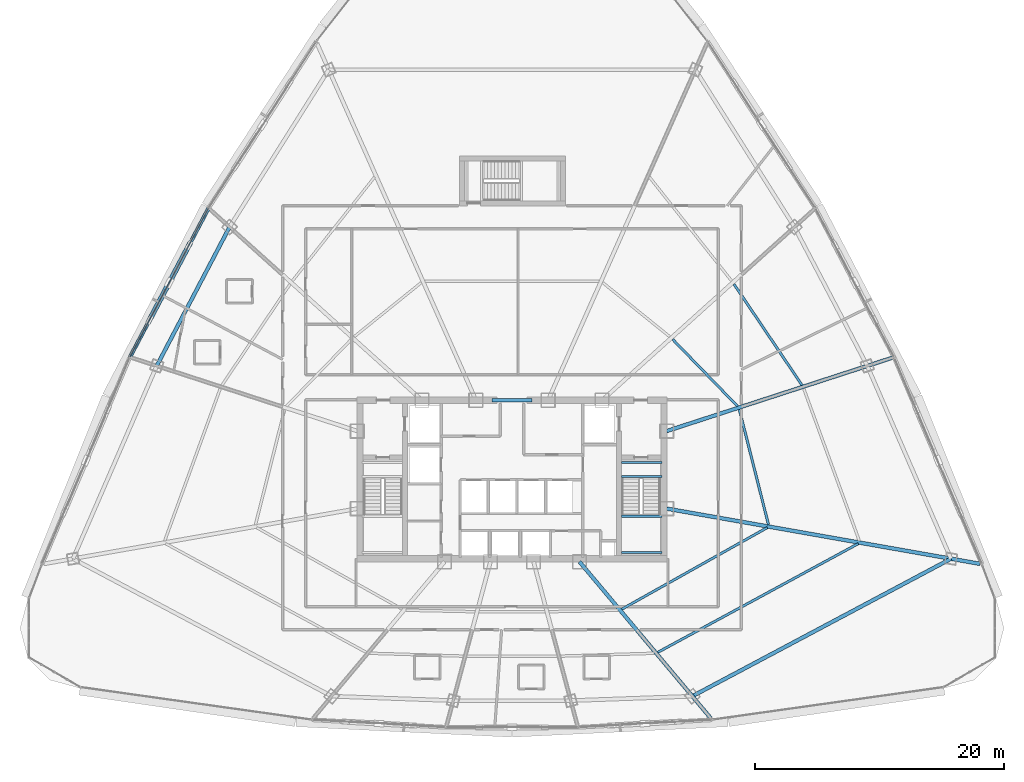
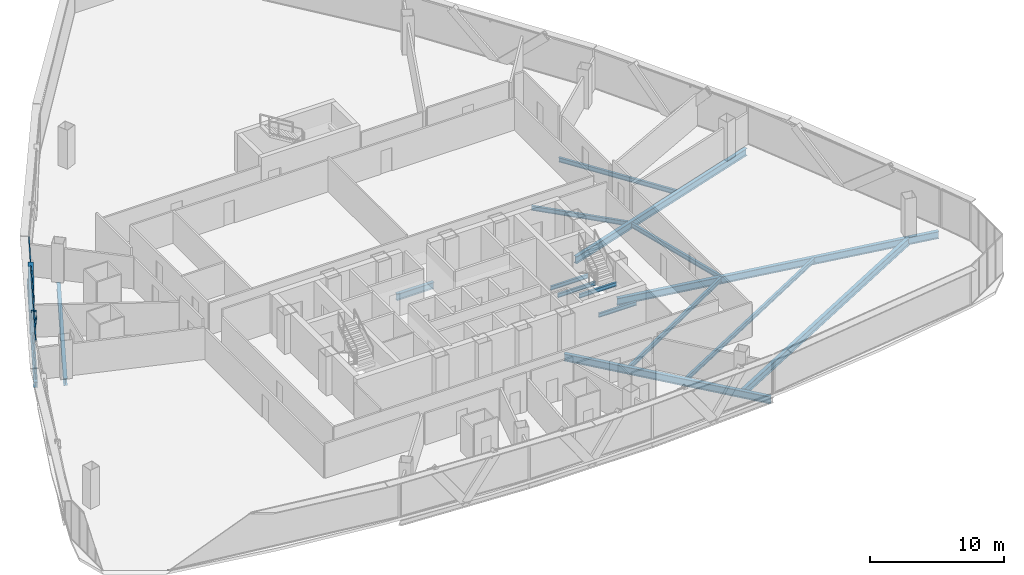
# One storey, part 15 of 40: 16 beams, 4 members, 1 element without a shape of its own.
"""IFC4 building model written with IfcOpenShell, lengths in metres."""

from ifc_helpers import new_model, si_unit, direction, frame, origin, origin_2d, place, context, subcontext, project, spatial, hollow_rectangle, i_section, extrude, source, transform, mapped, material, layer, layer_set, material_profile, profile_set, type_object, element, aggregate, save


model = new_model("IFC4")

# Units and contexts
model_context = context("Model", 3, precision=1e-05, world=origin(), true_north=direction((0.0, 1.0)))
body_context = subcontext(model_context, "Body", "Model", "MODEL_VIEW")
ifc_project = project(units=[si_unit("LENGTHUNIT", "METRE"), si_unit("AREAUNIT", "SQUARE_METRE"), si_unit("VOLUMEUNIT", "CUBIC_METRE"), si_unit("PLANEANGLEUNIT", "RADIAN"), si_unit("MASSUNIT", "GRAM", prefix="KILO"), si_unit("THERMODYNAMICTEMPERATUREUNIT", "KELVIN"), si_unit("POWERUNIT", "WATT")], contexts=[model_context])

# Site, building, storey
site_placement = place(None, origin())
site = spatial("IfcSite", under=ifc_project, at=site_placement, CompositionType="ELEMENT")
building_placement = place(site_placement, origin())
building = spatial("IfcBuilding", under=site, at=building_placement, Name="Yunzhuo Pagoda Commons", CompositionType="ELEMENT")
storey_placement = place(building_placement, frame((0.0, 0.0, 184.760009765625)))
storey = spatial("IfcBuildingStorey", under=building, at=storey_placement, Name="L46", CompositionType="ELEMENT", Elevation=184.760009765625)

# Beams
ifc_material_1 = material(Name="Structural steel Q355B", Category="steel")
ifc_material_profile_1 = material_profile(ifc_material_1, i_section(OverallWidth=0.175048828125, OverallDepth=0.35009765625, WebThickness=0.007080078125, FlangeThickness=0.010986328125, at=origin_2d()), Name="Structural steel Q355B")
ifc_profile_set_1 = profile_set([ifc_material_profile_1], Name="Structural steel Q355B")
beam_type_1 = type_object("IfcBeamType", Name="B-JS2 Joist HN 350x175x7x11", PredefinedType="JOIST", material=ifc_profile_set_1)
shared_shape_1 = source(origin(), body_context, "Body", "SweptSolid", [
    extrude(i_section(OverallWidth=0.175048828125, OverallDepth=0.35009765625, WebThickness=0.007080078125, FlangeThickness=0.010986328125, at=origin_2d()), origin(), (0.0, 0.0, 1.0), 3.25),
])
for number, where, z_axis, x_axis, name in (
    (1, (56.800048828125, 28.0, 1.52490234375), (1.0, 0.0, 0.0), (0.0, 1.0, 0.0), "L46 ST2 landing support beam 52A"),
    (2, (56.800048828125, 30.89990234375, 1.52490234375), (1.0, 0.0, 0.0), (0.0, 1.0, 0.0), "L46 ST2 landing support beam 52B"),
    (3, (56.800048828125, 34.10009765625, -0.375), (1.0, 0.0, 0.0), (0.0, 1.0, 0.0), "L46 ST2 landing support beam 150A"),
    (4, (56.800048828125, 35.199951171875, -0.375), (1.0, 0.0, 0.0), (0.0, 1.0, 0.0), "L46 ST2 landing support beam 150B"),
):
    element("IfcBeam", number, at=place(storey_placement, frame(where, z_axis=z_axis, x_axis=x_axis)), inside=storey, type_object=beam_type_1, Name=name, PredefinedType="JOIST", context=body_context, shape_type="MappedRepresentation", body=[
        mapped(shared_shape_1, transform((0.0, 0.0, 0.0), scale=1.0)),
    ])
ifc_material_2 = material(Name="Structural steel Q420B", Category="steel")
ifc_material_profile_2 = material_profile(ifc_material_2, i_section(OverallWidth=0.300048828125, OverallDepth=0.587890625, WebThickness=0.011962890625, FlangeThickness=0.02001953125, at=origin_2d()), Name="Structural steel Q420B")
ifc_profile_set_2 = profile_set([ifc_material_profile_2], Name="Structural steel Q420B")
beam_type_2 = type_object("IfcBeamType", Name="B-CPL Beam HM 588x300x12x20", PredefinedType="BEAM", material=ifc_profile_set_2)
shared_shape_2 = source(origin(), body_context, "Body", "SweptSolid", [
    extrude(i_section(OverallWidth=0.300048828125, OverallDepth=0.587890625, WebThickness=0.011962890625, FlangeThickness=0.02001953125, at=origin_2d()), origin(), (0.0, 0.0, 1.0), 3.2001953125),
])
beam_1_placement = place(storey_placement, frame((46.39990234375, 40.199951171875, -0.553955078125), z_axis=(1.0, 0.0, 0.0), x_axis=(0.0, 1.0, 0.0)))
element("IfcBeam", 5, at=beam_1_placement, inside=storey, type_object=beam_type_2, Name="L46 core coupling girder", PredefinedType="BEAM", context=body_context, shape_type="MappedRepresentation", body=[
    mapped(shared_shape_2, transform((0.0, 0.0, 0.0), scale=1.0)),
])
ifc_material_profile_3 = material_profile(ifc_material_1, i_section(OverallWidth=0.300048828125, OverallDepth=0.488037109375, WebThickness=0.010986328125, FlangeThickness=0.01806640625, at=origin_2d()), Name="Structural steel Q355B")
ifc_profile_set_3 = profile_set([ifc_material_profile_3], Name="Structural steel Q355B")
beam_type_3 = type_object("IfcBeamType", Name="B-SP1 Beam HM 488x300x11x18", PredefinedType="BEAM", material=ifc_profile_set_3)
shared_shape_3 = source(origin(), body_context, "Body", "SweptSolid", [
    extrude(i_section(OverallWidth=0.300048828125, OverallDepth=0.488037109375, WebThickness=0.010986328125, FlangeThickness=0.01806640625, at=origin_2d()), origin(), (0.0, 0.0, 1.0), 13.517333984375),
])
beam_2_placement = place(storey_placement, frame((23.66455078125, 55.61181640625, -0.503662109375), z_axis=(-0.466756265166, -0.884385995439, 0.0), x_axis=(0.884385995439, -0.466756265166, 0.0)))
element("IfcBeam", 6, at=beam_2_placement, inside=storey, type_object=beam_type_3, Name="L46 facade edge spandrel beam F3.2", PredefinedType="BEAM", context=body_context, shape_type="MappedRepresentation", body=[
    mapped(shared_shape_3, transform((0.0, 0.0, 0.0), scale=1.0)),
])
ifc_material_profile_4 = material_profile(ifc_material_1, i_section(OverallWidth=0.300048828125, OverallDepth=0.64990234375, WebThickness=0.012939453125, FlangeThickness=0.02197265625, at=origin_2d()), Name="Structural steel Q355B")
ifc_profile_set_4 = profile_set([ifc_material_profile_4], Name="Structural steel Q355B")
beam_type_4 = type_object("IfcBeamType", Name="B-RG2 Beam HN 650x300x13x22", PredefinedType="BEAM", material=ifc_profile_set_4)
shared_shape_4 = source(origin(), body_context, "Body", "SweptSolid", [
    extrude(i_section(OverallWidth=0.300048828125, OverallDepth=0.64990234375, WebThickness=0.012939453125, FlangeThickness=0.02197265625, at=origin_2d()), origin(), (0.0, 0.0, 1.0), 23.49365234375),
])
beam_3_placement = place(storey_placement, frame((62.461181640625, 16.4658203125, -0.5849609375), z_axis=(0.883016269865, 0.469342377325, 0.0), x_axis=(-0.469342377325, 0.883016269865, 0.0)))
element("IfcBeam", 7, at=beam_3_placement, inside=storey, type_object=beam_type_4, Name="L46 column-ring beam 4", PredefinedType="BEAM", context=body_context, shape_type="MappedRepresentation", body=[
    mapped(shared_shape_4, transform((0.0, 0.0, 0.0), scale=1.0)),
])
shared_shape_5 = source(origin(), body_context, "Body", "SweptSolid", [
    extrude(i_section(OverallWidth=0.300048828125, OverallDepth=0.64990234375, WebThickness=0.012939453125, FlangeThickness=0.02197265625, at=origin_2d()), origin(), (0.0, 0.0, 1.0), 12.576416015625),
])
beam_4_placement = place(storey_placement, frame((25.349365234375, 54.0947265625, -0.5849609375), z_axis=(-0.464676385233, -0.885480579689, 0.0), x_axis=(0.885480579689, -0.464676385233, 0.0)))
element("IfcBeam", 8, at=beam_4_placement, inside=storey, type_object=beam_type_4, Name="L46 column-ring beam 10", PredefinedType="BEAM", context=body_context, shape_type="MappedRepresentation", body=[
    mapped(shared_shape_5, transform((0.0, 0.0, 0.0), scale=1.0)),
])
shared_shape_6 = source(origin(), body_context, "Body", "SweptSolid", [
    extrude(i_section(OverallWidth=0.300048828125, OverallDepth=0.64990234375, WebThickness=0.012939453125, FlangeThickness=0.02197265625, at=origin_2d()), origin(), (0.0, 0.0, 1.0), 16.390625),
])
beam_5_placement = place(storey_placement, frame((63.94775390625, 14.694091796875, -0.5849609375), z_axis=(-0.642787129535, 0.766044846014, 0.0), x_axis=(-0.766044846014, -0.642787129535, 0.0)))
element("IfcBeam", 9, at=beam_5_placement, inside=storey, type_object=beam_type_4, Name="L46 radial floor girder F1C4", PredefinedType="BEAM", context=body_context, shape_type="MappedRepresentation", body=[
    mapped(shared_shape_6, transform((0.0, 0.0, 0.0), scale=1.0)),
])
shared_shape_7 = source(origin(), body_context, "Body", "SweptSolid", [
    extrude(i_section(OverallWidth=0.300048828125, OverallDepth=0.64990234375, WebThickness=0.012939453125, FlangeThickness=0.02197265625, at=origin_2d()), origin(), (0.0, 0.0, 1.0), 25.52734375),
])
beam_6_placement = place(storey_placement, frame((85.53955078125, 27.0810546875, -0.5849609375), z_axis=(-0.984810601719, 0.173632021076, 0.0), x_axis=(-0.173632021076, -0.984810601719, 0.0)))
element("IfcBeam", 10, at=beam_6_placement, inside=storey, type_object=beam_type_4, Name="L46 radial floor girder F2C1", PredefinedType="BEAM", context=body_context, shape_type="MappedRepresentation", body=[
    mapped(shared_shape_7, transform((0.0, 0.0, 0.0), scale=1.0)),
])
shared_shape_8 = source(origin(), body_context, "Body", "SweptSolid", [
    extrude(i_section(OverallWidth=0.300048828125, OverallDepth=0.64990234375, WebThickness=0.012939453125, FlangeThickness=0.02197265625, at=origin_2d()), origin(), (0.0, 0.0, 1.0), 19.029296875),
])
beam_7_placement = place(storey_placement, frame((78.497802734375, 43.609375, -0.5849609375), z_axis=(-0.95105641133, -0.309017317424, 0.0), x_axis=(0.309017317424, -0.95105641133, 0.0)))
element("IfcBeam", 11, at=beam_7_placement, inside=storey, type_object=beam_type_4, Name="L46 radial floor girder F2C2", PredefinedType="BEAM", context=body_context, shape_type="MappedRepresentation", body=[
    mapped(shared_shape_8, transform((0.0, 0.0, 0.0), scale=1.0)),
])
ifc_material_profile_5 = material_profile(ifc_material_1, i_section(OverallWidth=0.199951171875, OverallDepth=0.39990234375, WebThickness=0.008056640625, FlangeThickness=0.012939453125, at=origin_2d()), Name="Structural steel Q355B")
ifc_profile_set_5 = profile_set([ifc_material_profile_5], Name="Structural steel Q355B")
beam_type_5 = type_object("IfcBeamType", Name="B-JS1 Joist HN 400x200x8x13", PredefinedType="JOIST", material=ifc_profile_set_5)
shared_shape_9 = source(origin(), body_context, "Body", "SweptSolid", [
    extrude(i_section(OverallWidth=0.199951171875, OverallDepth=0.39990234375, WebThickness=0.008056640625, FlangeThickness=0.012939453125, at=origin_2d()), origin(), (0.0, 0.0, 1.0), 13.372802734375),
])
beam_8_placement = place(storey_placement, frame((56.80859375, 23.445556640625, -0.4599609375), z_axis=(0.872150261016, 0.4892381038, 0.0), x_axis=(-0.4892381038, 0.872150261016, 0.0)))
element("IfcBeam", 12, at=beam_8_placement, inside=storey, type_object=beam_type_5, Name="L46 composite ring joist 1.4", PredefinedType="JOIST", context=body_context, shape_type="MappedRepresentation", body=[
    mapped(shared_shape_9, transform((0.0, 0.0, 0.0), scale=1.0)),
])
shared_shape_10 = source(origin(), body_context, "Body", "SweptSolid", [
    extrude(i_section(OverallWidth=0.199951171875, OverallDepth=0.39990234375, WebThickness=0.008056640625, FlangeThickness=0.012939453125, at=origin_2d()), origin(), (0.0, 0.0, 1.0), 18.27294921875),
])
beam_9_placement = place(storey_placement, frame((59.705322265625, 19.992431640625, -0.4599609375), z_axis=(0.879067821824, 0.476696721861, 0.0), x_axis=(-0.476696721861, 0.879067821824, 0.0)))
element("IfcBeam", 13, at=beam_9_placement, inside=storey, type_object=beam_type_5, Name="L46 composite ring joist 2.4", PredefinedType="JOIST", context=body_context, shape_type="MappedRepresentation", body=[
    mapped(shared_shape_10, transform((0.0, 0.0, 0.0), scale=1.0)),
])
shared_shape_11 = source(origin(), body_context, "Body", "SweptSolid", [
    extrude(i_section(OverallWidth=0.199951171875, OverallDepth=0.39990234375, WebThickness=0.008056640625, FlangeThickness=0.012939453125, at=origin_2d()), origin(), (0.0, 0.0, 1.0), 9.529052734375),
])
beam_10_placement = place(storey_placement, frame((68.5712890625, 30.219970703125, -0.4599609375), z_axis=(-0.245367921097, 0.969430030119, 0.0), x_axis=(-0.969430030119, -0.245367921097, 0.0)))
element("IfcBeam", 14, at=beam_10_placement, inside=storey, type_object=beam_type_5, Name="L46 composite ring joist 1.5", PredefinedType="JOIST", context=body_context, shape_type="MappedRepresentation", body=[
    mapped(shared_shape_11, transform((0.0, 0.0, 0.0), scale=1.0)),
])
shared_shape_12 = source(origin(), body_context, "Body", "SweptSolid", [
    extrude(i_section(OverallWidth=0.199951171875, OverallDepth=0.39990234375, WebThickness=0.008056640625, FlangeThickness=0.012939453125, at=origin_2d()), origin(), (0.0, 0.0, 1.0), 7.46826171875),
])
beam_11_placement = place(storey_placement, frame((66.08349609375, 39.725830078125, -0.4599609375), z_axis=(-0.696070782679, 0.717973164889, 0.0), x_axis=(-0.717973164889, -0.696070782679, 0.0)))
element("IfcBeam", 15, at=beam_11_placement, inside=storey, type_object=beam_type_5, Name="L46 composite ring joist 1.6", PredefinedType="JOIST", context=body_context, shape_type="MappedRepresentation", body=[
    mapped(shared_shape_12, transform((0.0, 0.0, 0.0), scale=1.0)),
])
shared_shape_13 = source(origin(), body_context, "Body", "SweptSolid", [
    extrude(i_section(OverallWidth=0.199951171875, OverallDepth=0.39990234375, WebThickness=0.008056640625, FlangeThickness=0.012939453125, at=origin_2d()), origin(), (0.0, 0.0, 1.0), 9.764892578125),
])
beam_12_placement = place(storey_placement, frame((71.255615234375, 41.4169921875, -0.4599609375), z_axis=(-0.558548425455, 0.829471914185, 0.0), x_axis=(-0.829471914185, -0.558548425455, 0.0)))
element("IfcBeam", 16, at=beam_12_placement, inside=storey, type_object=beam_type_5, Name="L46 composite ring joist 2.6", PredefinedType="JOIST", context=body_context, shape_type="MappedRepresentation", body=[
    mapped(shared_shape_13, transform((0.0, 0.0, 0.0), scale=1.0)),
])

# Members
ifc_material_profile_6 = material_profile(ifc_material_1, hollow_rectangle(XDim=0.39990234375, YDim=0.719970703125, WallThickness=0.02392578125, at=origin_2d()), Name="Structural steel Q355B")
ifc_profile_set_6 = profile_set([ifc_material_profile_6], Name="Structural steel Q355B")
member_type_1 = type_object("IfcMemberType", Name="M-DL2 Brace BOX 720x400x24", PredefinedType="BRACE", material=ifc_profile_set_6)
shared_shape_14 = source(origin(), body_context, "Body", "SweptSolid", [
    extrude(hollow_rectangle(XDim=0.39990234375, YDim=0.719970703125, WallThickness=0.02392578125, at=origin_2d()), origin(), (0.0, 0.0, 1.0), 5.08544921875),
])
member_1_placement = place(storey_placement, frame((20.509765625, 49.634765625, -0.260009765625), z_axis=(-0.310171947084, -0.587747275677, 0.747225871592), x_axis=(0.884402146748, -0.466725661205, 0.0)))
element("IfcMember", 17, at=member_1_placement, inside=storey, type_object=member_type_1, Name="L46 facade diamond brace F3.2R", PredefinedType="BRACE", context=body_context, shape_type="MappedRepresentation", body=[
    mapped(shared_shape_14, transform((0.0, 0.0, 0.0), scale=1.0)),
])
shared_shape_15 = source(origin(), body_context, "Body", "SweptSolid", [
    extrude(hollow_rectangle(XDim=0.39990234375, YDim=0.719970703125, WallThickness=0.02392578125, at=origin_2d()), origin(), (0.0, 0.0, 1.0), 5.085205078125),
])
member_2_placement = place(storey_placement, frame((20.509765625, 49.634765625, -0.260009765625), z_axis=(0.310198202512, 0.587652994698, 0.747289122751), x_axis=(-0.884354926157, 0.466815128913, 0.0)))
element("IfcMember", 18, at=member_2_placement, inside=storey, type_object=member_type_1, Name="L46 facade diamond brace F3.2L", PredefinedType="BRACE", context=body_context, shape_type="MappedRepresentation", body=[
    mapped(shared_shape_15, transform((0.0, 0.0, 0.0), scale=1.0)),
])

# Curtain wall, members
ifc_material_3 = material(Name="Anodized aluminium 6063-T6", Category="aluminium")
ifc_layer = layer(ifc_material_3, 0.14990234375)
ifc_layer_set = layer_set([ifc_layer], Name="Anodized aluminium 6063-T6")
curtain_wall_type = type_object("IfcCurtainWallType", Name="CW-MID Mid-Zone Ribbon Curtain Wall", PredefinedType="NOTDEFINED", material=ifc_layer_set)
curtain_wall_placement = place(storey_placement, origin())
curtain_wall = element("IfcCurtainWall", 19, at=curtain_wall_placement, inside=storey, type_object=curtain_wall_type, Name="L46 curtain wall CW-L46-F3B3", PredefinedType="NOTDEFINED")
ifc_material_profile_7 = material_profile(ifc_material_3, hollow_rectangle(XDim=0.054931640625, YDim=0.1298828125, WallThickness=0.00341796875, at=origin_2d()), Name="Anodized aluminium 6063-T6")
ifc_profile_set_7 = profile_set([ifc_material_profile_7], Name="Anodized aluminium 6063-T6")
member_type_2 = type_object("IfcMemberType", Name="CW-MID-T Transom RHS 130x55x3.5", PredefinedType="USERDEFINED", material=ifc_profile_set_7)
shared_shape_16 = source(origin(), body_context, "Body", "SweptSolid", [
    extrude(hollow_rectangle(XDim=0.054931640625, YDim=0.1298828125, WallThickness=0.00341796875, at=origin_2d()), origin(), (0.0, 0.0, 1.0), 13.3974609375),
])
member_3_placement = place(storey_placement, frame((23.636474609375, 55.55859375, 0.027587890625), z_axis=(-0.466764558252, -0.884381618511, 0.0), x_axis=(0.884381618511, -0.466764558252, 0.0)))
member_3 = element("IfcMember", 20, at=member_3_placement, type_object=member_type_2, Name="CW transom 1.1", ObjectType="TRANSOM", PredefinedType="USERDEFINED", context=body_context, shape_type="MappedRepresentation", body=[
    mapped(shared_shape_16, transform((0.0, 0.0, 0.0), scale=1.0)),
])
member_4_placement = place(storey_placement, frame((23.636474609375, 55.55859375, 3.512451171875), z_axis=(-0.466764558252, -0.884381618511, 0.0), x_axis=(0.884381618511, -0.466764558252, 0.0)))
member_4 = element("IfcMember", 21, at=member_4_placement, type_object=member_type_2, Name="CW transom 1.2", ObjectType="TRANSOM", PredefinedType="USERDEFINED", context=body_context, shape_type="MappedRepresentation", body=[
    mapped(shared_shape_16, transform((0.0, 0.0, 0.0), scale=1.0)),
])
aggregate(curtain_wall, [member_3, member_4])

save(model, "model.ifc")
